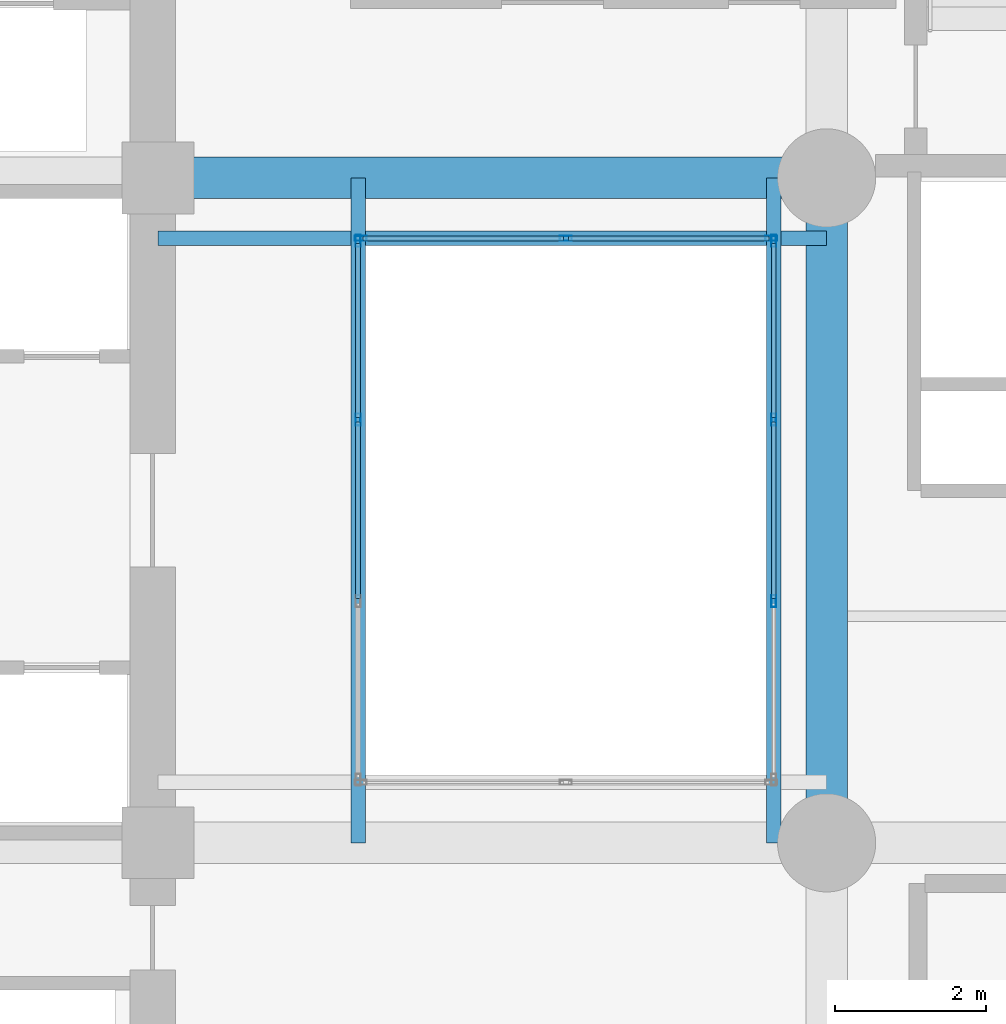
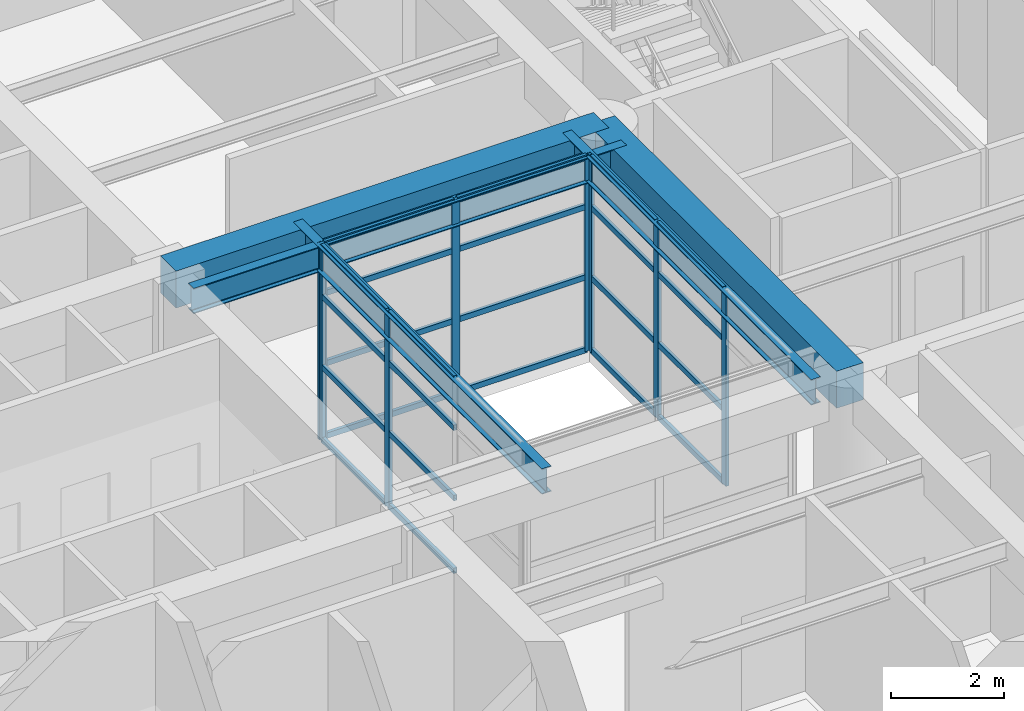
# One storey, part 4 of 13: 32 members, 5 beams, 3 elements without a shape of their own.
"""IFC4 building model written with IfcOpenShell, lengths in metres."""

from ifc_helpers import new_model, si_unit, direction, frame, origin, origin_2d, place, context, subcontext, project, spatial, rectangle, hollow_rectangle, i_section, extrude, material, layer, layer_set, material_profile, profile_set, type_object, element, aggregate, save


model = new_model("IFC4")

# Units and contexts
model_context = context("Model", 3, precision=1e-05, world=origin(), true_north=direction((0.0, 1.0)))
body_context = subcontext(model_context, "Body", "Model", "MODEL_VIEW")
ifc_project = project(units=[si_unit("LENGTHUNIT", "METRE"), si_unit("AREAUNIT", "SQUARE_METRE"), si_unit("VOLUMEUNIT", "CUBIC_METRE"), si_unit("PLANEANGLEUNIT", "RADIAN"), si_unit("MASSUNIT", "GRAM", prefix="KILO")], contexts=[model_context])

# Site, building, storey
site_placement = place(None, origin())
site = spatial("IfcSite", under=ifc_project, at=site_placement, CompositionType="ELEMENT")
building_placement = place(site_placement, origin())
building = spatial("IfcBuilding", under=site, at=building_placement, Name="Kundavana Baori Tower", CompositionType="ELEMENT")
storey_placement = place(building_placement, frame((0.0, 0.0, 17.0)))
storey = spatial("IfcBuildingStorey", under=building, at=storey_placement, Name="L03", CompositionType="ELEMENT", Elevation=17.0)

# Beams
ifc_material_1 = material(Name="Concrete C50/60", Category="concrete")
ifc_material_profile_1 = material_profile(ifc_material_1, rectangle(XDim=0.550048828125, YDim=0.800048828125, at=origin_2d()), Name="RC BM 550x800")
ifc_profile_set_1 = profile_set([ifc_material_profile_1], Name="Concrete C50/60")
beam_type_1 = type_object("IfcBeamType", Name="BM-RC-800", PredefinedType="BEAM", material=ifc_profile_set_1)
beam_1_placement = place(storey_placement, frame((24.949951171875, 33.0, 3.820068359375), z_axis=(1.0, 0.0, 0.0), x_axis=(0.0, 1.0, 0.0)))
element("IfcBeam", 1, at=beam_1_placement, inside=storey, type_object=beam_type_1, Name="L03 Primary Grid Girder GX-3-2", PredefinedType="BEAM", context=body_context, shape_type="SweptSolid", body=[
    extrude(rectangle(XDim=0.550048828125, YDim=0.800048828125, at=origin_2d()), origin(), (0.0, 0.0, 1.0), 8.85009765625),
])
beam_2_placement = place(storey_placement, frame((33.800048828125, 24.199951171875, 3.820068359375), z_axis=(0.0, 1.0, 0.0), x_axis=(-1.0, 0.0, 0.0)))
element("IfcBeam", 2, at=beam_2_placement, inside=storey, type_object=beam_type_1, Name="L03 Primary Grid Girder GY-3-2", PredefinedType="BEAM", context=body_context, shape_type="SweptSolid", body=[
    extrude(rectangle(XDim=0.550048828125, YDim=0.800048828125, at=origin_2d()), origin(), (0.0, 0.0, 1.0), 8.800048828125),
])
ifc_material_2 = material(Name="Structural Steel S355JR", Category="steel")
ifc_material_profile_2 = material_profile(ifc_material_2, i_section(OverallWidth=0.18994140625, OverallDepth=0.550048828125, WebThickness=0.01123046875, FlangeThickness=0.019287109375, FilletRadius=0.01806640625, at=origin_2d()), Name="ISMB 550")
ifc_profile_set_2 = profile_set([ifc_material_profile_2], Name="Structural Steel S355JR")
beam_type_2 = type_object("IfcBeamType", Name="BM-ST-550", PredefinedType="BEAM", material=ifc_profile_set_2)
for number, where, z_axis, x_axis, name in (
    (3, (27.60009765625, 24.199951171875, 3.945068359375), (0.0, 1.0, 0.0), (-1.0, 0.0, 0.0), "L03 Atrium West Edge Beam"),
    (4, (33.10009765625, 24.199951171875, 3.945068359375), (0.0, 1.0, 0.0), (-1.0, 0.0, 0.0), "L03 Atrium East Edge Beam"),
):
    element("IfcBeam", number, at=place(storey_placement, frame(where, z_axis=z_axis, x_axis=x_axis)), inside=storey, type_object=beam_type_2, Name=name, PredefinedType="BEAM", context=body_context, shape_type="SweptSolid", body=[
        extrude(i_section(OverallWidth=0.18994140625, OverallDepth=0.550048828125, WebThickness=0.01123046875, FlangeThickness=0.019287109375, FilletRadius=0.01806640625, at=origin_2d()), origin(), (0.0, 0.0, 1.0), 8.800048828125),
    ])
beam_3_placement = place(storey_placement, frame((24.949951171875, 32.199951171875, 3.945068359375), z_axis=(1.0, 0.0, 0.0), x_axis=(0.0, 1.0, 0.0)))
element("IfcBeam", 5, at=beam_3_placement, inside=storey, type_object=beam_type_2, Name="L03 Atrium North Edge Beam", PredefinedType="BEAM", context=body_context, shape_type="SweptSolid", body=[
    extrude(i_section(OverallWidth=0.18994140625, OverallDepth=0.550048828125, WebThickness=0.01123046875, FlangeThickness=0.019287109375, FilletRadius=0.01806640625, at=origin_2d()), origin(), (0.0, 0.0, 1.0), 8.85009765625),
])

# Curtain wall, members
ifc_material_3 = material(Name="Thermally Broken Anodised Aluminium Framing", Category="aluminium")
ifc_layer = layer(ifc_material_3, 0.175048828125, Name="CW-SYS-2")
ifc_layer_set = layer_set([ifc_layer], Name="Thermally Broken Anodised Aluminium Framing")
curtain_wall_type = type_object("IfcCurtainWallType", Name="CW-SYS-2", PredefinedType="NOTDEFINED", material=ifc_layer_set)
curtain_wall_1_placement = place(storey_placement, origin())
curtain_wall_1 = element("IfcCurtainWall", 6, at=curtain_wall_1_placement, inside=storey, type_object=curtain_wall_type, Name="L03 Atrium Glazed Curtain Wall E", PredefinedType="NOTDEFINED")
ifc_material_4 = material(Name="Thermally Broken Anodised Aluminium Framing", Category="aluminium")
ifc_material_profile_3 = material_profile(ifc_material_4, hollow_rectangle(XDim=0.06494140625, YDim=0.159912109375, WallThickness=0.00390625, at=origin_2d()), Name="CW-MULL-160")
ifc_profile_set_3 = profile_set([ifc_material_profile_3], Name="Thermally Broken Anodised Aluminium Framing")
member_type_1 = type_object("IfcMemberType", Name="CW-MULL-160", PredefinedType="MULLION", material=ifc_profile_set_3)
member_1_placement = place(storey_placement, frame((33.10009765625, 27.39990234375, 0.0), z_axis=(0.0, 0.0, 1.0), x_axis=(-1.0, 0.0, 0.0)))
member_1 = element("IfcMember", 7, at=member_1_placement, type_object=member_type_1, Name="CW2 mullion 2", PredefinedType="MULLION", context=body_context, shape_type="SweptSolid", body=[
    extrude(hollow_rectangle(XDim=0.06494140625, YDim=0.159912109375, WallThickness=0.00390625, at=origin_2d()), origin(), (0.0, 0.0, 1.0), 4.219970703125),
])
member_2_placement = place(storey_placement, frame((33.10009765625, 29.800048828125, 0.0), z_axis=(0.0, 0.0, 1.0), x_axis=(-1.0, 0.0, 0.0)))
member_2 = element("IfcMember", 8, at=member_2_placement, type_object=member_type_1, Name="CW2 mullion 3", PredefinedType="MULLION", context=body_context, shape_type="SweptSolid", body=[
    extrude(hollow_rectangle(XDim=0.06494140625, YDim=0.159912109375, WallThickness=0.00390625, at=origin_2d()), origin(), (0.0, 0.0, 1.0), 4.219970703125),
])
member_3_placement = place(storey_placement, frame((33.10009765625, 32.16748046875, 0.0), z_axis=(0.0, 0.0, 1.0), x_axis=(-1.0, 0.0, 0.0)))
member_3 = element("IfcMember", 9, at=member_3_placement, type_object=member_type_1, Name="CW2 mullion 4", PredefinedType="MULLION", context=body_context, shape_type="SweptSolid", body=[
    extrude(hollow_rectangle(XDim=0.06494140625, YDim=0.159912109375, WallThickness=0.00390625, at=origin_2d()), origin(), (0.0, 0.0, 1.0), 4.219970703125),
])

curtain_wall_2_placement = place(storey_placement, origin())
curtain_wall_2 = element("IfcCurtainWall", 10, at=curtain_wall_2_placement, inside=storey, type_object=curtain_wall_type, Name="L03 Atrium Glazed Curtain Wall N", PredefinedType="NOTDEFINED")
member_4_placement = place(storey_placement, frame((33.0673828125, 32.199951171875, 0.0), z_axis=(0.0, 0.0, 1.0), x_axis=(0.0, -1.0, 0.0)))
member_4 = element("IfcMember", 11, at=member_4_placement, type_object=member_type_1, Name="CW2 mullion 1", PredefinedType="MULLION", context=body_context, shape_type="SweptSolid", body=[
    extrude(hollow_rectangle(XDim=0.06494140625, YDim=0.159912109375, WallThickness=0.00390625, at=origin_2d()), origin(), (0.0, 0.0, 1.0), 4.219970703125),
])
member_5_placement = place(storey_placement, frame((30.35009765625, 32.199951171875, 0.0), z_axis=(0.0, 0.0, 1.0), x_axis=(0.0, -1.0, 0.0)))
member_5 = element("IfcMember", 12, at=member_5_placement, type_object=member_type_1, Name="CW2 mullion 2", PredefinedType="MULLION", context=body_context, shape_type="SweptSolid", body=[
    extrude(hollow_rectangle(XDim=0.06494140625, YDim=0.159912109375, WallThickness=0.00390625, at=origin_2d()), origin(), (0.0, 0.0, 1.0), 4.219970703125),
])
member_6_placement = place(storey_placement, frame((27.632568359375, 32.199951171875, 0.0), z_axis=(0.0, 0.0, 1.0), x_axis=(0.0, -1.0, 0.0)))
member_6 = element("IfcMember", 13, at=member_6_placement, type_object=member_type_1, Name="CW2 mullion 3", PredefinedType="MULLION", context=body_context, shape_type="SweptSolid", body=[
    extrude(hollow_rectangle(XDim=0.06494140625, YDim=0.159912109375, WallThickness=0.00390625, at=origin_2d()), origin(), (0.0, 0.0, 1.0), 4.219970703125),
])

curtain_wall_3_placement = place(storey_placement, origin())
curtain_wall_3 = element("IfcCurtainWall", 14, at=curtain_wall_3_placement, inside=storey, type_object=curtain_wall_type, Name="L03 Atrium Glazed Curtain Wall W", PredefinedType="NOTDEFINED")
member_7_placement = place(storey_placement, frame((27.60009765625, 32.16748046875, 0.0), z_axis=(0.0, 0.0, 1.0), x_axis=(1.0, 0.0, 0.0)))
member_7 = element("IfcMember", 15, at=member_7_placement, type_object=member_type_1, Name="CW2 mullion 1", PredefinedType="MULLION", context=body_context, shape_type="SweptSolid", body=[
    extrude(hollow_rectangle(XDim=0.06494140625, YDim=0.159912109375, WallThickness=0.00390625, at=origin_2d()), origin(), (0.0, 0.0, 1.0), 4.219970703125),
])
member_8_placement = place(storey_placement, frame((27.60009765625, 29.800048828125, 0.0), z_axis=(0.0, 0.0, 1.0), x_axis=(1.0, 0.0, 0.0)))
member_8 = element("IfcMember", 16, at=member_8_placement, type_object=member_type_1, Name="CW2 mullion 2", PredefinedType="MULLION", context=body_context, shape_type="SweptSolid", body=[
    extrude(hollow_rectangle(XDim=0.06494140625, YDim=0.159912109375, WallThickness=0.00390625, at=origin_2d()), origin(), (0.0, 0.0, 1.0), 4.219970703125),
])

# Member
ifc_material_5 = material(Name="Thermally Broken Anodised Aluminium Framing", Category="aluminium")
ifc_material_profile_4 = material_profile(ifc_material_5, hollow_rectangle(XDim=0.06494140625, YDim=0.1201171875, WallThickness=0.00390625, at=origin_2d()), Name="CW-TRAN-120")
ifc_profile_set_4 = profile_set([ifc_material_profile_4], Name="Thermally Broken Anodised Aluminium Framing")
member_type_2 = type_object("IfcMemberType", Name="CW-TRAN-120", PredefinedType="USERDEFINED", material=ifc_profile_set_4)
member_9_placement = place(storey_placement, frame((33.10009765625, 27.4326171875, 0.032470703125), z_axis=(0.0, 1.0, 0.0), x_axis=(-1.0, 0.0, 0.0)))
member_9 = element("IfcMember", 17, at=member_9_placement, type_object=member_type_2, Name="CW2 transom 2.1", ObjectType="TRANSOM", PredefinedType="USERDEFINED", context=body_context, shape_type="SweptSolid", body=[
    extrude(hollow_rectangle(XDim=0.06494140625, YDim=0.1201171875, WallThickness=0.00390625, at=origin_2d()), origin(), (0.0, 0.0, 1.0), 2.3349609375),
])

member_10_placement = place(storey_placement, frame((33.10009765625, 27.4326171875, 1.603515625), z_axis=(0.0, 1.0, 0.0), x_axis=(-1.0, 0.0, 0.0)))
member_10 = element("IfcMember", 18, at=member_10_placement, type_object=member_type_2, Name="CW2 transom 2.2", ObjectType="TRANSOM", PredefinedType="USERDEFINED", context=body_context, shape_type="SweptSolid", body=[
    extrude(hollow_rectangle(XDim=0.06494140625, YDim=0.1201171875, WallThickness=0.00390625, at=origin_2d()), origin(), (0.0, 0.0, 1.0), 2.3349609375),
])

member_11_placement = place(storey_placement, frame((33.10009765625, 27.4326171875, 3.122802734375), z_axis=(0.0, 1.0, 0.0), x_axis=(-1.0, 0.0, 0.0)))
member_11 = element("IfcMember", 19, at=member_11_placement, type_object=member_type_2, Name="CW2 transom 2.3", ObjectType="TRANSOM", PredefinedType="USERDEFINED", context=body_context, shape_type="SweptSolid", body=[
    extrude(hollow_rectangle(XDim=0.06494140625, YDim=0.1201171875, WallThickness=0.00390625, at=origin_2d()), origin(), (0.0, 0.0, 1.0), 2.3349609375),
])

member_12_placement = place(storey_placement, frame((33.10009765625, 27.4326171875, 4.1875), z_axis=(0.0, 1.0, 0.0), x_axis=(-1.0, 0.0, 0.0)))
member_12 = element("IfcMember", 20, at=member_12_placement, type_object=member_type_2, Name="CW2 transom 2.4", ObjectType="TRANSOM", PredefinedType="USERDEFINED", context=body_context, shape_type="SweptSolid", body=[
    extrude(hollow_rectangle(XDim=0.06494140625, YDim=0.1201171875, WallThickness=0.00390625, at=origin_2d()), origin(), (0.0, 0.0, 1.0), 2.3349609375),
])

member_13_placement = place(storey_placement, frame((33.10009765625, 29.83251953125, 0.032470703125), z_axis=(0.0, 1.0, 0.0), x_axis=(-1.0, 0.0, 0.0)))
member_13 = element("IfcMember", 21, at=member_13_placement, type_object=member_type_2, Name="CW2 transom 3.1", ObjectType="TRANSOM", PredefinedType="USERDEFINED", context=body_context, shape_type="SweptSolid", body=[
    extrude(hollow_rectangle(XDim=0.06494140625, YDim=0.1201171875, WallThickness=0.00390625, at=origin_2d()), origin(), (0.0, 0.0, 1.0), 2.302490234375),
])

member_14_placement = place(storey_placement, frame((33.10009765625, 29.83251953125, 1.603515625), z_axis=(0.0, 1.0, 0.0), x_axis=(-1.0, 0.0, 0.0)))
member_14 = element("IfcMember", 22, at=member_14_placement, type_object=member_type_2, Name="CW2 transom 3.2", ObjectType="TRANSOM", PredefinedType="USERDEFINED", context=body_context, shape_type="SweptSolid", body=[
    extrude(hollow_rectangle(XDim=0.06494140625, YDim=0.1201171875, WallThickness=0.00390625, at=origin_2d()), origin(), (0.0, 0.0, 1.0), 2.302490234375),
])

member_15_placement = place(storey_placement, frame((33.10009765625, 29.83251953125, 3.122802734375), z_axis=(0.0, 1.0, 0.0), x_axis=(-1.0, 0.0, 0.0)))
member_15 = element("IfcMember", 23, at=member_15_placement, type_object=member_type_2, Name="CW2 transom 3.3", ObjectType="TRANSOM", PredefinedType="USERDEFINED", context=body_context, shape_type="SweptSolid", body=[
    extrude(hollow_rectangle(XDim=0.06494140625, YDim=0.1201171875, WallThickness=0.00390625, at=origin_2d()), origin(), (0.0, 0.0, 1.0), 2.302490234375),
])

member_16_placement = place(storey_placement, frame((33.10009765625, 29.83251953125, 4.1875), z_axis=(0.0, 1.0, 0.0), x_axis=(-1.0, 0.0, 0.0)))
member_16 = element("IfcMember", 24, at=member_16_placement, type_object=member_type_2, Name="CW2 transom 3.4", ObjectType="TRANSOM", PredefinedType="USERDEFINED", context=body_context, shape_type="SweptSolid", body=[
    extrude(hollow_rectangle(XDim=0.06494140625, YDim=0.1201171875, WallThickness=0.00390625, at=origin_2d()), origin(), (0.0, 0.0, 1.0), 2.302490234375),
])

aggregate(curtain_wall_1, [member_1, member_2, member_3, member_9, member_10, member_11, member_12, member_13, member_14, member_15, member_16])

member_17_placement = place(storey_placement, frame((33.034912109375, 32.199951171875, 0.032470703125), z_axis=(-1.0, 0.0, 0.0), x_axis=(0.0, -1.0, 0.0)))
member_17 = element("IfcMember", 25, at=member_17_placement, type_object=member_type_2, Name="CW2 transom 1.1", ObjectType="TRANSOM", PredefinedType="USERDEFINED", context=body_context, shape_type="SweptSolid", body=[
    extrude(hollow_rectangle(XDim=0.06494140625, YDim=0.1201171875, WallThickness=0.00390625, at=origin_2d()), origin(), (0.0, 0.0, 1.0), 2.65234375),
])

member_18_placement = place(storey_placement, frame((33.034912109375, 32.199951171875, 1.603515625), z_axis=(-1.0, 0.0, 0.0), x_axis=(0.0, -1.0, 0.0)))
member_18 = element("IfcMember", 26, at=member_18_placement, type_object=member_type_2, Name="CW2 transom 1.2", ObjectType="TRANSOM", PredefinedType="USERDEFINED", context=body_context, shape_type="SweptSolid", body=[
    extrude(hollow_rectangle(XDim=0.06494140625, YDim=0.1201171875, WallThickness=0.00390625, at=origin_2d()), origin(), (0.0, 0.0, 1.0), 2.65234375),
])

member_19_placement = place(storey_placement, frame((33.034912109375, 32.199951171875, 3.122802734375), z_axis=(-1.0, 0.0, 0.0), x_axis=(0.0, -1.0, 0.0)))
member_19 = element("IfcMember", 27, at=member_19_placement, type_object=member_type_2, Name="CW2 transom 1.3", ObjectType="TRANSOM", PredefinedType="USERDEFINED", context=body_context, shape_type="SweptSolid", body=[
    extrude(hollow_rectangle(XDim=0.06494140625, YDim=0.1201171875, WallThickness=0.00390625, at=origin_2d()), origin(), (0.0, 0.0, 1.0), 2.65234375),
])

member_20_placement = place(storey_placement, frame((33.034912109375, 32.199951171875, 4.1875), z_axis=(-1.0, 0.0, 0.0), x_axis=(0.0, -1.0, 0.0)))
member_20 = element("IfcMember", 28, at=member_20_placement, type_object=member_type_2, Name="CW2 transom 1.4", ObjectType="TRANSOM", PredefinedType="USERDEFINED", context=body_context, shape_type="SweptSolid", body=[
    extrude(hollow_rectangle(XDim=0.06494140625, YDim=0.1201171875, WallThickness=0.00390625, at=origin_2d()), origin(), (0.0, 0.0, 1.0), 2.65234375),
])

member_21_placement = place(storey_placement, frame((30.3173828125, 32.199951171875, 0.032470703125), z_axis=(-1.0, 0.0, 0.0), x_axis=(0.0, -1.0, 0.0)))
member_21 = element("IfcMember", 29, at=member_21_placement, type_object=member_type_2, Name="CW2 transom 2.1", ObjectType="TRANSOM", PredefinedType="USERDEFINED", context=body_context, shape_type="SweptSolid", body=[
    extrude(hollow_rectangle(XDim=0.06494140625, YDim=0.1201171875, WallThickness=0.00390625, at=origin_2d()), origin(), (0.0, 0.0, 1.0), 2.65234375),
])

member_22_placement = place(storey_placement, frame((30.3173828125, 32.199951171875, 1.603515625), z_axis=(-1.0, 0.0, 0.0), x_axis=(0.0, -1.0, 0.0)))
member_22 = element("IfcMember", 30, at=member_22_placement, type_object=member_type_2, Name="CW2 transom 2.2", ObjectType="TRANSOM", PredefinedType="USERDEFINED", context=body_context, shape_type="SweptSolid", body=[
    extrude(hollow_rectangle(XDim=0.06494140625, YDim=0.1201171875, WallThickness=0.00390625, at=origin_2d()), origin(), (0.0, 0.0, 1.0), 2.65234375),
])

member_23_placement = place(storey_placement, frame((30.3173828125, 32.199951171875, 3.122802734375), z_axis=(-1.0, 0.0, 0.0), x_axis=(0.0, -1.0, 0.0)))
member_23 = element("IfcMember", 31, at=member_23_placement, type_object=member_type_2, Name="CW2 transom 2.3", ObjectType="TRANSOM", PredefinedType="USERDEFINED", context=body_context, shape_type="SweptSolid", body=[
    extrude(hollow_rectangle(XDim=0.06494140625, YDim=0.1201171875, WallThickness=0.00390625, at=origin_2d()), origin(), (0.0, 0.0, 1.0), 2.65234375),
])

member_24_placement = place(storey_placement, frame((30.3173828125, 32.199951171875, 4.1875), z_axis=(-1.0, 0.0, 0.0), x_axis=(0.0, -1.0, 0.0)))
member_24 = element("IfcMember", 32, at=member_24_placement, type_object=member_type_2, Name="CW2 transom 2.4", ObjectType="TRANSOM", PredefinedType="USERDEFINED", context=body_context, shape_type="SweptSolid", body=[
    extrude(hollow_rectangle(XDim=0.06494140625, YDim=0.1201171875, WallThickness=0.00390625, at=origin_2d()), origin(), (0.0, 0.0, 1.0), 2.65234375),
])

aggregate(curtain_wall_2, [member_4, member_5, member_6, member_17, member_18, member_19, member_20, member_21, member_22, member_23, member_24])

member_25_placement = place(storey_placement, frame((27.60009765625, 32.135009765625, 0.032470703125), z_axis=(0.0, -1.0, 0.0), x_axis=(1.0, 0.0, 0.0)))
member_25 = element("IfcMember", 33, at=member_25_placement, type_object=member_type_2, Name="CW2 transom 1.1", ObjectType="TRANSOM", PredefinedType="USERDEFINED", context=body_context, shape_type="SweptSolid", body=[
    extrude(hollow_rectangle(XDim=0.06494140625, YDim=0.1201171875, WallThickness=0.00390625, at=origin_2d()), origin(), (0.0, 0.0, 1.0), 2.302490234375),
])

member_26_placement = place(storey_placement, frame((27.60009765625, 32.135009765625, 1.603515625), z_axis=(0.0, -1.0, 0.0), x_axis=(1.0, 0.0, 0.0)))
member_26 = element("IfcMember", 34, at=member_26_placement, type_object=member_type_2, Name="CW2 transom 1.2", ObjectType="TRANSOM", PredefinedType="USERDEFINED", context=body_context, shape_type="SweptSolid", body=[
    extrude(hollow_rectangle(XDim=0.06494140625, YDim=0.1201171875, WallThickness=0.00390625, at=origin_2d()), origin(), (0.0, 0.0, 1.0), 2.302490234375),
])

member_27_placement = place(storey_placement, frame((27.60009765625, 32.135009765625, 3.122802734375), z_axis=(0.0, -1.0, 0.0), x_axis=(1.0, 0.0, 0.0)))
member_27 = element("IfcMember", 35, at=member_27_placement, type_object=member_type_2, Name="CW2 transom 1.3", ObjectType="TRANSOM", PredefinedType="USERDEFINED", context=body_context, shape_type="SweptSolid", body=[
    extrude(hollow_rectangle(XDim=0.06494140625, YDim=0.1201171875, WallThickness=0.00390625, at=origin_2d()), origin(), (0.0, 0.0, 1.0), 2.302490234375),
])

member_28_placement = place(storey_placement, frame((27.60009765625, 32.135009765625, 4.1875), z_axis=(0.0, -1.0, 0.0), x_axis=(1.0, 0.0, 0.0)))
member_28 = element("IfcMember", 36, at=member_28_placement, type_object=member_type_2, Name="CW2 transom 1.4", ObjectType="TRANSOM", PredefinedType="USERDEFINED", context=body_context, shape_type="SweptSolid", body=[
    extrude(hollow_rectangle(XDim=0.06494140625, YDim=0.1201171875, WallThickness=0.00390625, at=origin_2d()), origin(), (0.0, 0.0, 1.0), 2.302490234375),
])

member_29_placement = place(storey_placement, frame((27.60009765625, 29.767578125, 0.032470703125), z_axis=(0.0, -1.0, 0.0), x_axis=(1.0, 0.0, 0.0)))
member_29 = element("IfcMember", 37, at=member_29_placement, type_object=member_type_2, Name="CW2 transom 2.1", ObjectType="TRANSOM", PredefinedType="USERDEFINED", context=body_context, shape_type="SweptSolid", body=[
    extrude(hollow_rectangle(XDim=0.06494140625, YDim=0.1201171875, WallThickness=0.00390625, at=origin_2d()), origin(), (0.0, 0.0, 1.0), 2.3349609375),
])

member_30_placement = place(storey_placement, frame((27.60009765625, 29.767578125, 1.603515625), z_axis=(0.0, -1.0, 0.0), x_axis=(1.0, 0.0, 0.0)))
member_30 = element("IfcMember", 38, at=member_30_placement, type_object=member_type_2, Name="CW2 transom 2.2", ObjectType="TRANSOM", PredefinedType="USERDEFINED", context=body_context, shape_type="SweptSolid", body=[
    extrude(hollow_rectangle(XDim=0.06494140625, YDim=0.1201171875, WallThickness=0.00390625, at=origin_2d()), origin(), (0.0, 0.0, 1.0), 2.3349609375),
])

member_31_placement = place(storey_placement, frame((27.60009765625, 29.767578125, 3.122802734375), z_axis=(0.0, -1.0, 0.0), x_axis=(1.0, 0.0, 0.0)))
member_31 = element("IfcMember", 39, at=member_31_placement, type_object=member_type_2, Name="CW2 transom 2.3", ObjectType="TRANSOM", PredefinedType="USERDEFINED", context=body_context, shape_type="SweptSolid", body=[
    extrude(hollow_rectangle(XDim=0.06494140625, YDim=0.1201171875, WallThickness=0.00390625, at=origin_2d()), origin(), (0.0, 0.0, 1.0), 2.3349609375),
])

member_32_placement = place(storey_placement, frame((27.60009765625, 29.767578125, 4.1875), z_axis=(0.0, -1.0, 0.0), x_axis=(1.0, 0.0, 0.0)))
member_32 = element("IfcMember", 40, at=member_32_placement, type_object=member_type_2, Name="CW2 transom 2.4", ObjectType="TRANSOM", PredefinedType="USERDEFINED", context=body_context, shape_type="SweptSolid", body=[
    extrude(hollow_rectangle(XDim=0.06494140625, YDim=0.1201171875, WallThickness=0.00390625, at=origin_2d()), origin(), (0.0, 0.0, 1.0), 2.3349609375),
])

aggregate(curtain_wall_3, [member_7, member_8, member_25, member_26, member_27, member_28, member_29, member_30, member_31, member_32])

save(model, "model.ifc")
